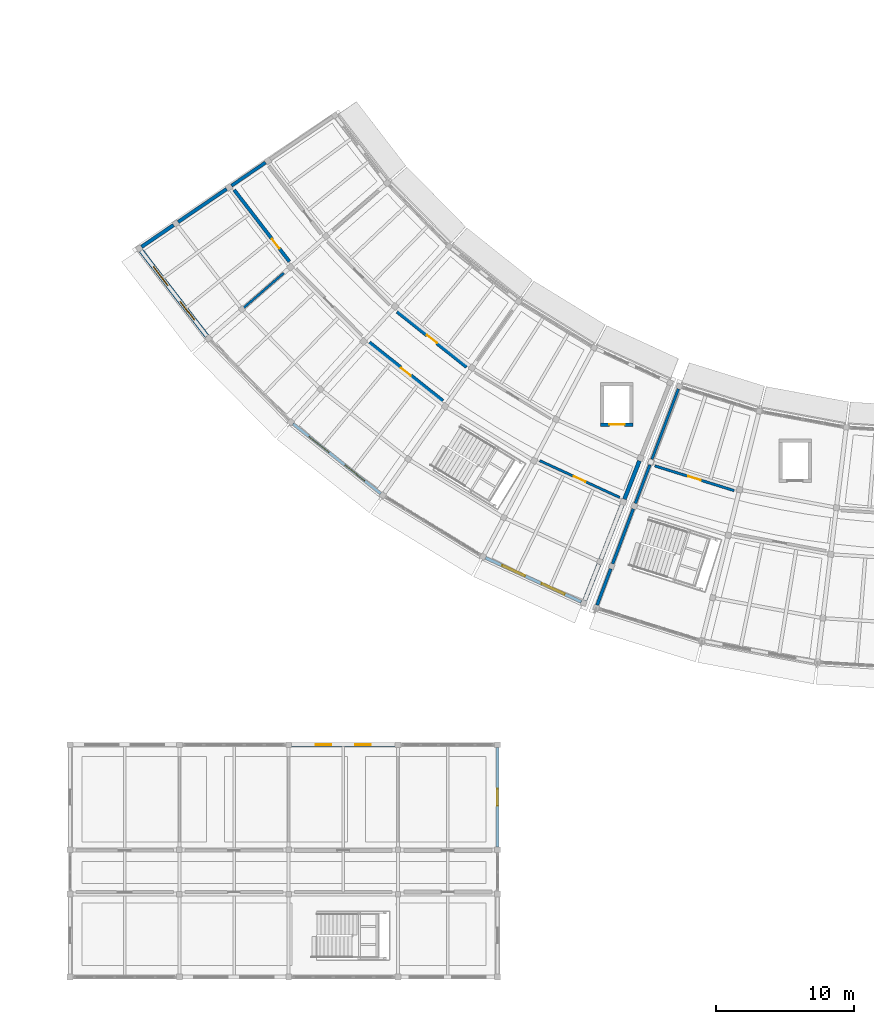
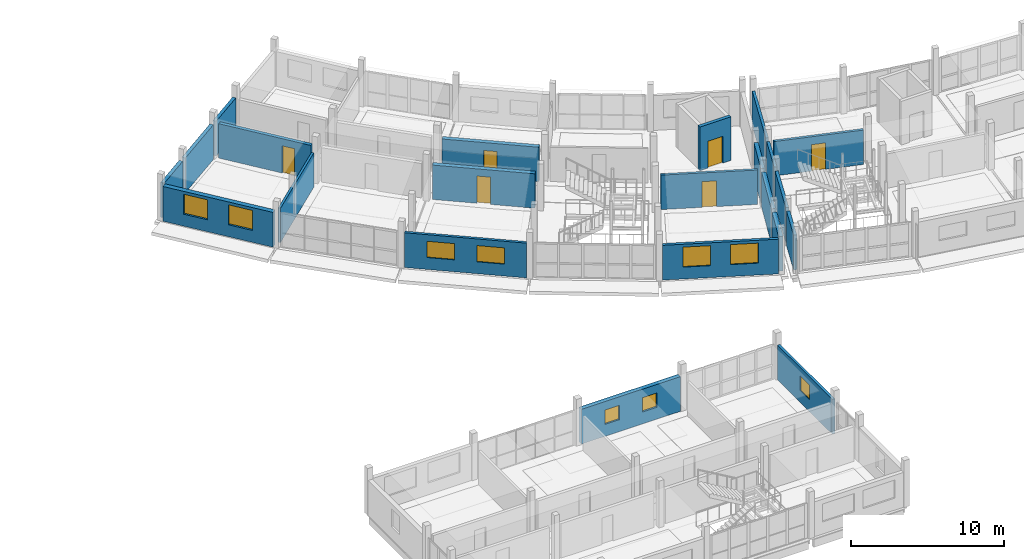
# One storey, part 56 of 77: 22 walls, 9 windows, 6 doors, 15 openings.
"""IFC4 building model written with IfcOpenShell, lengths in metres."""

from ifc_helpers import new_model, si_unit, direction, frame, frame_2d, origin, place, context, subcontext, project, spatial, rectangle, extrude, material, layer, layer_set, type_object, element, fill, save


model = new_model("IFC4")

# Units and contexts
model_context = context("Model", 3, precision=1e-05, world=origin(), true_north=direction((0.0, 1.0)))
body_context = subcontext(model_context, "Body", "Model", "MODEL_VIEW")
ifc_project = project(units=[si_unit("LENGTHUNIT", "METRE"), si_unit("AREAUNIT", "SQUARE_METRE"), si_unit("VOLUMEUNIT", "CUBIC_METRE"), si_unit("PLANEANGLEUNIT", "RADIAN"), si_unit("MASSUNIT", "GRAM", prefix="KILO")], contexts=[model_context])

# Site, building, storey
site_placement = place(None, origin())
site = spatial("IfcSite", under=ifc_project, at=site_placement, CompositionType="ELEMENT")
building_placement = place(site_placement, origin())
building = spatial("IfcBuilding", under=site, at=building_placement, Name="Caldaven Crescent School", CompositionType="ELEMENT")
storey_placement = place(building_placement, frame((0.0, 0.0, 4.419921875)))
storey = spatial("IfcBuildingStorey", under=building, at=storey_placement, Name="L01", CompositionType="ELEMENT", Elevation=4.419921875)

# Wall, opening, door
ifc_material_1 = material(Name="Concrete C35/45", Category="concrete")
ifc_layer_1 = layer(ifc_material_1, 0.300048828125)
ifc_layer_set_1 = layer_set([ifc_layer_1], Name="Concrete C35/45")
wall_type_1 = type_object("IfcWallType", Name="WAL-CW1", PredefinedType="SHEAR", material=ifc_layer_set_1)
wall_1_placement = place(storey_placement, frame((63.85107421875, 44.13818359375, 0.0), z_axis=(0.0, 0.0, 1.0), x_axis=(1.0, 0.0, 0.0)))
wall_1 = element("IfcWall", 1, at=wall_1_placement, inside=storey, type_object=wall_type_1, Name="CW-LF4-L01-S", PredefinedType="SHEAR", context=body_context, shape_type="SweptSolid", body=[
    extrude(rectangle(XDim=2.349853515625, YDim=0.25, at=frame_2d((1.1748046875, 0.0))), origin(), (0.0, 0.0, 1.0), 3.489990234375),
])
opening_1_placement = place(wall_1_placement, frame((0.625, 0.0, 0.0)))
opening_1 = element("IfcOpeningElement", 2, at=opening_1_placement, cuts=wall_1, Name="Opening LD-LF4-L01", PredefinedType="OPENING", context=body_context, shape_type="SweptSolid", body=[
    extrude(rectangle(XDim=1.10009765625, YDim=2.14990234375, at=frame_2d((0.550048828125, 1.074951171875))), frame((0.0, 0.135009765625, 0.0), z_axis=(0.0, -1.0, 0.0), x_axis=(1.0, 0.0, 0.0)), (0.0, 0.0, 1.0), 0.27001953125),
])
ifc_material_2 = material(Name="Brushed stainless-steel automatic telescopic landing door", Category="steel")
door_type_1 = type_object("IfcDoorType", Name="DOR-LD01", OperationType="DOUBLE_DOOR_SLIDING", PredefinedType="DOOR", material=ifc_material_2)
door_1_placement = place(opening_1_placement, origin())
door_1 = element("IfcDoor", 3, at=door_1_placement, inside=storey, type_object=door_type_1, Name="DOR-LD-LF4-L01", OperationType="DOUBLE_DOOR_SLIDING", OverallHeight=2.14990234375, OverallWidth=1.10009765625, PredefinedType="DOOR", context=body_context, shape_type="SweptSolid", body=[
    extrude(rectangle(XDim=1.10009765625, YDim=2.14990234375, at=frame_2d((0.550048828125, 1.074951171875))), frame((0.0, 0.02490234375, 0.0), z_axis=(0.0, -1.0, 0.0), x_axis=(1.0, 0.0, 0.0)), (0.0, 0.0, 1.0), 0.050048828125),
])
fill(opening_1, door_1)

# Wall, opening, window
ifc_material_3 = material(Name="Precast concrete C35/45", Category="concrete")
ifc_layer_2 = layer(ifc_material_3, 0.19189453125)
ifc_layer_set_2 = layer_set([ifc_layer_2], Name="Precast concrete C35/45")
wall_type_2 = type_object("IfcWallType", Name="WAL-EW01", PredefinedType="STANDARD", material=ifc_layer_set_2)
wall_2_placement = place(storey_placement, frame((56.39990234375, 13.613037109375, 0.0), z_axis=(0.0, 0.0, 1.0), x_axis=(0.0, 1.0, 0.0)))
wall_2 = element("IfcWall", 4, at=wall_2_placement, inside=storey, type_object=wall_type_2, Name="EW-L01-070", PredefinedType="STANDARD", context=body_context, shape_type="SweptSolid", body=[
    extrude(rectangle(XDim=7.174072265625, YDim=0.19189453125, at=frame_2d((3.5869140625, 0.0))), origin(), (0.0, 0.0, 1.0), 2.780029296875),
])
opening_2_placement = place(wall_2_placement, frame((2.97705078125, 0.0, 0.949951171875)))
opening_2 = element("IfcOpeningElement", 5, at=opening_2_placement, cuts=wall_2, Name="Opening W05", PredefinedType="OPENING", context=body_context, shape_type="SweptSolid", body=[
    extrude(rectangle(XDim=1.219970703125, YDim=1.14990234375, at=frame_2d((0.60986328125, 0.574951171875))), frame((0.0, 0.10595703125, 0.0), z_axis=(0.0, -1.0, 0.0), x_axis=(1.0, 0.0, 0.0)), (0.0, 0.0, 1.0), 0.2119140625),
])
ifc_material_4 = material(Name="Thermally broken anodised aluminium AA 6063-T6 and low-E double glazing", Category="aluminium")
window_type_1 = type_object("IfcWindowType", Name="WIN-W05", PartitioningType="SINGLE_PANEL", PredefinedType="WINDOW", material=ifc_material_4)
window_1_placement = place(opening_2_placement, origin())
window_1 = element("IfcWindow", 6, at=window_1_placement, inside=storey, type_object=window_type_1, Name="WIN-L01-052-1", OverallHeight=1.14990234375, OverallWidth=1.219970703125, PartitioningType="SINGLE_PANEL", PredefinedType="WINDOW", context=body_context, shape_type="SweptSolid", body=[
    extrude(rectangle(XDim=1.219970703125, YDim=1.14990234375, at=frame_2d((0.60986328125, 0.574951171875))), frame((0.0, 0.030029296875, 0.0), z_axis=(0.0, -1.0, 0.0), x_axis=(1.0, 0.0, 0.0)), (0.0, 0.0, 1.0), 0.06005859375),
])
fill(opening_2, window_1)

# Wall, openings, windows
wall_3_placement = place(storey_placement, frame((41.616943359375, 44.19091796875, 0.0), z_axis=(0.0, 0.0, 1.0), x_axis=(0.782610403329, -0.62251181242, 0.0)))
wall_3 = element("IfcWall", 7, at=wall_3_placement, inside=storey, type_object=wall_type_2, Name="EW-L01-126", PredefinedType="STANDARD", context=body_context, shape_type="SweptSolid", body=[
    extrude(rectangle(XDim=8.095947265625, YDim=0.19189453125, at=frame_2d((4.0478515625, 0.0))), origin(), (0.0, 0.0, 1.0), 2.780029296875),
])
opening_3_placement = place(wall_3_placement, frame((1.4853515625, 0.0, 0.949951171875)))
opening_3 = element("IfcOpeningElement", 8, at=opening_3_placement, cuts=wall_3, Name="Opening W26", PredefinedType="OPENING", context=body_context, shape_type="SweptSolid", body=[
    extrude(rectangle(XDim=1.820068359375, YDim=1.300048828125, at=frame_2d((0.91015625, 0.64990234375))), frame((0.0, 0.10595703125, 0.0), z_axis=(0.0, -1.0, 0.0), x_axis=(1.0, 0.0, 0.0)), (0.0, 0.0, 1.0), 0.2119140625),
])
opening_4_placement = place(wall_3_placement, frame((4.79052734375, 0.0, 0.949951171875)))
opening_4 = element("IfcOpeningElement", 9, at=opening_4_placement, cuts=wall_3, Name="Opening W26", PredefinedType="OPENING", context=body_context, shape_type="SweptSolid", body=[
    extrude(rectangle(XDim=1.820068359375, YDim=1.300048828125, at=frame_2d((0.91015625, 0.64990234375))), frame((0.0, 0.10595703125, 0.0), z_axis=(0.0, -1.0, 0.0), x_axis=(1.0, 0.0, 0.0)), (0.0, 0.0, 1.0), 0.2119140625),
])
window_type_2 = type_object("IfcWindowType", Name="WIN-W26", PartitioningType="SINGLE_PANEL", PredefinedType="WINDOW", material=ifc_material_4)
window_2_placement = place(opening_3_placement, origin())
window_2 = element("IfcWindow", 10, at=window_2_placement, inside=storey, type_object=window_type_2, Name="WIN-L01-073-1", OverallHeight=1.300048828125, OverallWidth=1.820068359375, PartitioningType="SINGLE_PANEL", PredefinedType="WINDOW", context=body_context, shape_type="SweptSolid", body=[
    extrude(rectangle(XDim=1.820068359375, YDim=1.300048828125, at=frame_2d((0.91015625, 0.64990234375))), frame((0.0, 0.030029296875, 0.0), z_axis=(0.0, -1.0, 0.0), x_axis=(1.0, 0.0, 0.0)), (0.0, 0.0, 1.0), 0.06005859375),
])
fill(opening_3, window_2)
window_3_placement = place(opening_4_placement, origin())
window_3 = element("IfcWindow", 11, at=window_3_placement, inside=storey, type_object=window_type_2, Name="WIN-L01-073-2", OverallHeight=1.300048828125, OverallWidth=1.820068359375, PartitioningType="SINGLE_PANEL", PredefinedType="WINDOW", context=body_context, shape_type="SweptSolid", body=[
    extrude(rectangle(XDim=1.820068359375, YDim=1.300048828125, at=frame_2d((0.91015625, 0.64990234375))), frame((0.0, 0.030029296875, 0.0), z_axis=(0.0, -1.0, 0.0), x_axis=(1.0, 0.0, 0.0)), (0.0, 0.0, 1.0), 0.06005859375),
])
fill(opening_4, window_3)

# Walls
wall_4_placement = place(storey_placement, frame((69.471435546875, 46.72021484375, 0.0), z_axis=(0.0, 0.0, 1.0), x_axis=(-0.351915297574, -0.936031849529, 0.0)))
element("IfcWall", 12, at=wall_4_placement, inside=storey, type_object=wall_type_2, Name="EW-L01-140", PredefinedType="STANDARD", context=body_context, shape_type="SweptSolid", body=[
    extrude(rectangle(XDim=5.43896484375, YDim=0.19189453125, at=frame_2d((2.719482421875, 0.0))), origin(), (0.0, 0.0, 1.0), 2.780029296875),
])
ifc_layer_3 = layer(ifc_material_3, 0.2041015625)
ifc_layer_set_3 = layer_set([ifc_layer_3], Name="Precast concrete C35/45")
wall_type_3 = type_object("IfcWallType", Name="WAL-EW02", PredefinedType="STANDARD", material=ifc_layer_set_3)
wall_5_placement = place(storey_placement, frame((67.407470703125, 41.230224609375, 0.0), z_axis=(0.0, 0.0, 1.0), x_axis=(-0.35193299539, -0.936025195577, 0.0)))
element("IfcWall", 13, at=wall_5_placement, inside=storey, type_object=wall_type_3, Name="EW-L01-141", PredefinedType="STANDARD", context=body_context, shape_type="SweptSolid", body=[
    extrude(rectangle(XDim=2.973876953125, YDim=0.2041015625, at=frame_2d((1.48681640625, 0.0))), origin(), (0.0, 0.0, 1.0), 2.780029296875),
])

# Wall, openings, windows
ifc_layer_4 = layer(ifc_material_3, 0.216064453125)
ifc_layer_set_4 = layer_set([ifc_layer_4], Name="Precast concrete C35/45")
wall_type_4 = type_object("IfcWallType", Name="WAL-EW03", PredefinedType="STANDARD", material=ifc_layer_set_4)
wall_6_placement = place(storey_placement, frame((55.528076171875, 34.50830078125, 0.0), z_axis=(0.0, 0.0, 1.0), x_axis=(0.908533520845, -0.417811969073, 0.0)))
wall_6 = element("IfcWall", 14, at=wall_6_placement, inside=storey, type_object=wall_type_4, Name="EW-L01-128", PredefinedType="STANDARD", context=body_context, shape_type="SweptSolid", body=[
    extrude(rectangle(XDim=7.617919921875, YDim=0.216064453125, at=frame_2d((3.80908203125, 0.0))), origin(), (0.0, 0.0, 1.0), 2.780029296875),
])
opening_5_placement = place(wall_6_placement, frame((1.325927734375, 0.0, 0.949951171875)))
opening_5 = element("IfcOpeningElement", 15, at=opening_5_placement, cuts=wall_6, Name="Opening W28", PredefinedType="OPENING", context=body_context, shape_type="SweptSolid", body=[
    extrude(rectangle(XDim=1.820068359375, YDim=1.60009765625, at=frame_2d((0.91015625, 0.800048828125))), frame((0.0, 0.117919921875, 0.0), z_axis=(0.0, -1.0, 0.0), x_axis=(1.0, 0.0, 0.0)), (0.0, 0.0, 1.0), 0.236083984375),
])
opening_6_placement = place(wall_6_placement, frame((4.471923828125, 0.0, 0.949951171875)))
opening_6 = element("IfcOpeningElement", 16, at=opening_6_placement, cuts=wall_6, Name="Opening W28", PredefinedType="OPENING", context=body_context, shape_type="SweptSolid", body=[
    extrude(rectangle(XDim=1.820068359375, YDim=1.60009765625, at=frame_2d((0.91015625, 0.800048828125))), frame((0.0, 0.117919921875, 0.0), z_axis=(0.0, -1.0, 0.0), x_axis=(1.0, 0.0, 0.0)), (0.0, 0.0, 1.0), 0.236083984375),
])
window_type_3 = type_object("IfcWindowType", Name="WIN-W28", PartitioningType="SINGLE_PANEL", PredefinedType="WINDOW", material=ifc_material_4)
window_4_placement = place(opening_5_placement, origin())
window_4 = element("IfcWindow", 17, at=window_4_placement, inside=storey, type_object=window_type_3, Name="WIN-L01-075-1", OverallHeight=1.60009765625, OverallWidth=1.820068359375, PartitioningType="SINGLE_PANEL", PredefinedType="WINDOW", context=body_context, shape_type="SweptSolid", body=[
    extrude(rectangle(XDim=1.820068359375, YDim=1.60009765625, at=frame_2d((0.91015625, 0.800048828125))), frame((0.0, 0.030029296875, 0.0), z_axis=(0.0, -1.0, 0.0), x_axis=(1.0, 0.0, 0.0)), (0.0, 0.0, 1.0), 0.06005859375),
])
fill(opening_5, window_4)
window_5_placement = place(opening_6_placement, origin())
window_5 = element("IfcWindow", 18, at=window_5_placement, inside=storey, type_object=window_type_3, Name="WIN-L01-075-2", OverallHeight=1.60009765625, OverallWidth=1.820068359375, PartitioningType="SINGLE_PANEL", PredefinedType="WINDOW", context=body_context, shape_type="SweptSolid", body=[
    extrude(rectangle(XDim=1.820068359375, YDim=1.60009765625, at=frame_2d((0.91015625, 0.800048828125))), frame((0.0, 0.030029296875, 0.0), z_axis=(0.0, -1.0, 0.0), x_axis=(1.0, 0.0, 0.0)), (0.0, 0.0, 1.0), 0.06005859375),
])
fill(opening_6, window_5)

# Walls
wall_7_placement = place(storey_placement, frame((66.2109375, 38.0478515625, 0.0), z_axis=(0.0, 0.0, 1.0), x_axis=(-0.351956442029, -0.936016379619, 0.0)))
element("IfcWall", 19, at=wall_7_placement, inside=storey, type_object=wall_type_4, Name="EW-L01-142", PredefinedType="STANDARD", context=body_context, shape_type="SweptSolid", body=[
    extrude(rectangle(XDim=4.239013671875, YDim=0.216064453125, at=frame_2d((2.11962890625, 0.0))), origin(), (0.0, 0.0, 1.0), 2.780029296875),
])
ifc_layer_5 = layer(ifc_material_3, 0.22802734375)
ifc_layer_set_5 = layer_set([ifc_layer_5], Name="Precast concrete C35/45")
wall_type_5 = type_object("IfcWallType", Name="WAL-EW04", PredefinedType="STANDARD", material=ifc_layer_set_5)
wall_8_placement = place(storey_placement, frame((64.57958984375, 33.70947265625, 0.0), z_axis=(0.0, 0.0, 1.0), x_axis=(-0.351915246361, -0.936031868784, 0.0)))
element("IfcWall", 20, at=wall_8_placement, inside=storey, type_object=wall_type_5, Name="EW-L01-143", PredefinedType="STANDARD", context=body_context, shape_type="SweptSolid", body=[
    extrude(rectangle(XDim=2.80419921875, YDim=0.22802734375, at=frame_2d((1.402099609375, 0.0))), origin(), (0.0, 0.0, 1.0), 2.780029296875),
])
ifc_layer_6 = layer(ifc_material_3, 0.239990234375)
ifc_layer_set_6 = layer_set([ifc_layer_6], Name="Precast concrete C35/45")
wall_type_6 = type_object("IfcWallType", Name="WAL-EW05", PredefinedType="STANDARD", material=ifc_layer_set_6)
wall_9_placement = place(storey_placement, frame((39.625, 63.081298828125, 0.0), z_axis=(0.0, 0.0, 1.0), x_axis=(-0.826746288828, -0.562574949592, 0.0)))
element("IfcWall", 21, at=wall_9_placement, inside=storey, type_object=wall_type_6, Name="EW-L01-130", PredefinedType="STANDARD", context=body_context, shape_type="SweptSolid", body=[
    extrude(rectangle(XDim=2.973876953125, YDim=0.239990234375, at=frame_2d((1.48681640625, 0.0))), origin(), (0.0, 0.0, 1.0), 2.780029296875),
])
ifc_layer_7 = layer(ifc_material_3, 0.251953125)
ifc_layer_set_7 = layer_set([ifc_layer_7], Name="Precast concrete C35/45")
wall_type_7 = type_object("IfcWallType", Name="WAL-EW06", PredefinedType="STANDARD", material=ifc_layer_set_7)
wall_10_placement = place(storey_placement, frame((36.814208984375, 61.168701171875, 0.0), z_axis=(0.0, 0.0, 1.0), x_axis=(-0.826749711991, -0.562569918964, 0.0)))
element("IfcWall", 22, at=wall_10_placement, inside=storey, type_object=wall_type_7, Name="EW-L01-131", PredefinedType="STANDARD", context=body_context, shape_type="SweptSolid", body=[
    extrude(rectangle(XDim=4.239013671875, YDim=0.251953125, at=frame_2d((2.11962890625, 0.0))), origin(), (0.0, 0.0, 1.0), 2.780029296875),
])
ifc_layer_8 = layer(ifc_material_3, 0.263916015625)
ifc_layer_set_8 = layer_set([ifc_layer_8], Name="Precast concrete C35/45")
wall_type_8 = type_object("IfcWallType", Name="WAL-EW07", PredefinedType="STANDARD", material=ifc_layer_set_8)
wall_11_placement = place(storey_placement, frame((32.982177734375, 58.56103515625, 0.0), z_axis=(0.0, 0.0, 1.0), x_axis=(-0.826748315521, -0.562571971204, 0.0)))
element("IfcWall", 23, at=wall_11_placement, inside=storey, type_object=wall_type_8, Name="EW-L01-132", PredefinedType="STANDARD", context=body_context, shape_type="SweptSolid", body=[
    extrude(rectangle(XDim=2.803955078125, YDim=0.263916015625, at=frame_2d((1.40185546875, 0.0))), origin(), (0.0, 0.0, 1.0), 2.780029296875),
])
ifc_layer_9 = layer(ifc_material_3, 0.2880859375)
ifc_layer_set_9 = layer_set([ifc_layer_9], Name="Precast concrete C35/45")
wall_type_9 = type_object("IfcWallType", Name="WAL-EW09", PredefinedType="STANDARD", material=ifc_layer_set_9)
wall_12_placement = place(storey_placement, frame((66.6552734375, 41.51904296875, 0.0), z_axis=(0.0, 0.0, 1.0), x_axis=(-0.364814075751, -0.931080388653, 0.0)))
element("IfcWall", 24, at=wall_12_placement, inside=storey, type_object=wall_type_9, Name="EW-L01-134", PredefinedType="STANDARD", context=body_context, shape_type="SweptSolid", body=[
    extrude(rectangle(XDim=2.97412109375, YDim=0.2880859375, at=frame_2d((1.487060546875, 0.0))), origin(), (0.0, 0.0, 1.0), 2.780029296875),
])
ifc_layer_10 = layer(ifc_material_3, 0.300048828125)
ifc_layer_set_10 = layer_set([ifc_layer_10], Name="Precast concrete C35/45")
wall_type_10 = type_object("IfcWallType", Name="WAL-EW10", PredefinedType="STANDARD", material=ifc_layer_set_10)
wall_13_placement = place(storey_placement, frame((65.4150390625, 38.353271484375, 0.0), z_axis=(0.0, 0.0, 1.0), x_axis=(-0.364807578084, -0.93108293453, 0.0)))
element("IfcWall", 25, at=wall_13_placement, inside=storey, type_object=wall_type_10, Name="EW-L01-135", PredefinedType="STANDARD", context=body_context, shape_type="SweptSolid", body=[
    extrude(rectangle(XDim=4.239013671875, YDim=0.300048828125, at=frame_2d((2.11962890625, 0.0))), origin(), (0.0, 0.0, 1.0), 2.780029296875),
])

# Wall, openings, windows
ifc_layer_11 = layer(ifc_material_3, 0.31201171875)
ifc_layer_set_11 = layer_set([ifc_layer_11], Name="Precast concrete C35/45")
wall_type_11 = type_object("IfcWallType", Name="WAL-EW11", PredefinedType="STANDARD", material=ifc_layer_set_11)
wall_14_placement = place(storey_placement, frame((41.512939453125, 21.0, 0.0), z_axis=(0.0, 0.0, 1.0), x_axis=(1.0, 0.0, 0.0)))
wall_14 = element("IfcWall", 26, at=wall_14_placement, inside=storey, type_object=wall_type_11, Name="EW-L01-066", PredefinedType="STANDARD", context=body_context, shape_type="SweptSolid", body=[
    extrude(rectangle(XDim=7.47412109375, YDim=0.31201171875, at=frame_2d((3.737060546875, 0.0))), origin(), (0.0, 0.0, 1.0), 2.780029296875),
])
opening_7_placement = place(wall_14_placement, frame((1.758056640625, 0.0, 0.949951171875)))
opening_7 = element("IfcOpeningElement", 27, at=opening_7_placement, cuts=wall_14, Name="Opening W01", PredefinedType="OPENING", context=body_context, shape_type="SweptSolid", body=[
    extrude(rectangle(XDim=1.10009765625, YDim=1.14990234375, at=frame_2d((0.550048828125, 0.574951171875))), frame((0.0, 0.166015625, 0.0), z_axis=(0.0, -1.0, 0.0), x_axis=(1.0, 0.0, 0.0)), (0.0, 0.0, 1.0), 0.33203125),
])
opening_8_placement = place(wall_14_placement, frame((4.615966796875, 0.0, 0.949951171875)))
opening_8 = element("IfcOpeningElement", 28, at=opening_8_placement, cuts=wall_14, Name="Opening W01", PredefinedType="OPENING", context=body_context, shape_type="SweptSolid", body=[
    extrude(rectangle(XDim=1.10009765625, YDim=1.14990234375, at=frame_2d((0.550048828125, 0.574951171875))), frame((0.0, 0.166015625, 0.0), z_axis=(0.0, -1.0, 0.0), x_axis=(1.0, 0.0, 0.0)), (0.0, 0.0, 1.0), 0.33203125),
])
window_type_4 = type_object("IfcWindowType", Name="WIN-W01", PartitioningType="SINGLE_PANEL", PredefinedType="WINDOW", material=ifc_material_4)
window_6_placement = place(opening_7_placement, origin())
window_6 = element("IfcWindow", 29, at=window_6_placement, inside=storey, type_object=window_type_4, Name="WIN-L01-048-1", OverallHeight=1.14990234375, OverallWidth=1.10009765625, PartitioningType="SINGLE_PANEL", PredefinedType="WINDOW", context=body_context, shape_type="SweptSolid", body=[
    extrude(rectangle(XDim=1.10009765625, YDim=1.14990234375, at=frame_2d((0.550048828125, 0.574951171875))), frame((0.0, 0.030029296875, 0.0), z_axis=(0.0, -1.0, 0.0), x_axis=(1.0, 0.0, 0.0)), (0.0, 0.0, 1.0), 0.06005859375),
])
fill(opening_7, window_6)
window_7_placement = place(opening_8_placement, origin())
window_7 = element("IfcWindow", 30, at=window_7_placement, inside=storey, type_object=window_type_4, Name="WIN-L01-048-2", OverallHeight=1.14990234375, OverallWidth=1.10009765625, PartitioningType="SINGLE_PANEL", PredefinedType="WINDOW", context=body_context, shape_type="SweptSolid", body=[
    extrude(rectangle(XDim=1.10009765625, YDim=1.14990234375, at=frame_2d((0.550048828125, 0.574951171875))), frame((0.0, 0.030029296875, 0.0), z_axis=(0.0, -1.0, 0.0), x_axis=(1.0, 0.0, 0.0)), (0.0, 0.0, 1.0), 0.06005859375),
])
fill(opening_8, window_7)

# Wall
wall_15_placement = place(storey_placement, frame((63.72412109375, 34.037841796875, 0.0), z_axis=(0.0, 0.0, 1.0), x_axis=(-0.364806382824, -0.931083402844, 0.0)))
element("IfcWall", 31, at=wall_15_placement, inside=storey, type_object=wall_type_11, Name="EW-L01-136", PredefinedType="STANDARD", context=body_context, shape_type="SweptSolid", body=[
    extrude(rectangle(XDim=2.80419921875, YDim=0.31201171875, at=frame_2d((1.402099609375, 0.0))), origin(), (0.0, 0.0, 1.0), 2.780029296875),
])

# Wall, openings, windows
ifc_layer_12 = layer(ifc_material_3, 0.3359375)
ifc_layer_set_12 = layer_set([ifc_layer_12], Name="Precast concrete C35/45")
wall_type_12 = type_object("IfcWallType", Name="WAL-EW13", PredefinedType="STANDARD", material=ifc_layer_set_12)
wall_16_placement = place(storey_placement, frame((30.62109375, 56.71533203125, 0.0), z_axis=(0.0, 0.0, 1.0), x_axis=(0.610390223599, -0.792100861592, 0.0)))
wall_16 = element("IfcWall", 32, at=wall_16_placement, inside=storey, type_object=wall_type_12, Name="EW-L01-124", PredefinedType="STANDARD", context=body_context, shape_type="SweptSolid", body=[
    extrude(rectangle(XDim=7.8115234375, YDim=0.3359375, at=frame_2d((3.90576171875, 0.0))), origin(), (0.0, 0.0, 1.0), 2.780029296875),
])
opening_9_placement = place(wall_16_placement, frame((1.470458984375, 0.0, 0.949951171875)))
opening_9 = element("IfcOpeningElement", 33, at=opening_9_placement, cuts=wall_16, Name="Opening W24", PredefinedType="OPENING", context=body_context, shape_type="SweptSolid", body=[
    extrude(rectangle(XDim=1.699951171875, YDim=1.60009765625, at=frame_2d((0.85009765625, 0.800048828125))), frame((0.0, 0.177978515625, 0.0), z_axis=(0.0, -1.0, 0.0), x_axis=(1.0, 0.0, 0.0)), (0.0, 0.0, 1.0), 0.35595703125),
])
opening_10_placement = place(wall_16_placement, frame((4.640869140625, 0.0, 0.949951171875)))
opening_10 = element("IfcOpeningElement", 34, at=opening_10_placement, cuts=wall_16, Name="Opening W24", PredefinedType="OPENING", context=body_context, shape_type="SweptSolid", body=[
    extrude(rectangle(XDim=1.699951171875, YDim=1.60009765625, at=frame_2d((0.85009765625, 0.800048828125))), frame((0.0, 0.177978515625, 0.0), z_axis=(0.0, -1.0, 0.0), x_axis=(1.0, 0.0, 0.0)), (0.0, 0.0, 1.0), 0.35595703125),
])
window_type_5 = type_object("IfcWindowType", Name="WIN-W24", PartitioningType="SINGLE_PANEL", PredefinedType="WINDOW", material=ifc_material_4)
window_8_placement = place(opening_9_placement, origin())
window_8 = element("IfcWindow", 35, at=window_8_placement, inside=storey, type_object=window_type_5, Name="WIN-L01-071-1", OverallHeight=1.60009765625, OverallWidth=1.699951171875, PartitioningType="SINGLE_PANEL", PredefinedType="WINDOW", context=body_context, shape_type="SweptSolid", body=[
    extrude(rectangle(XDim=1.699951171875, YDim=1.60009765625, at=frame_2d((0.85009765625, 0.800048828125))), frame((0.0, 0.030029296875, 0.0), z_axis=(0.0, -1.0, 0.0), x_axis=(1.0, 0.0, 0.0)), (0.0, 0.0, 1.0), 0.06005859375),
])
fill(opening_9, window_8)
window_9_placement = place(opening_10_placement, origin())
window_9 = element("IfcWindow", 36, at=window_9_placement, inside=storey, type_object=window_type_5, Name="WIN-L01-071-2", OverallHeight=1.60009765625, OverallWidth=1.699951171875, PartitioningType="SINGLE_PANEL", PredefinedType="WINDOW", context=body_context, shape_type="SweptSolid", body=[
    extrude(rectangle(XDim=1.699951171875, YDim=1.60009765625, at=frame_2d((0.85009765625, 0.800048828125))), frame((0.0, 0.030029296875, 0.0), z_axis=(0.0, -1.0, 0.0), x_axis=(1.0, 0.0, 0.0)), (0.0, 0.0, 1.0), 0.06005859375),
])
fill(opening_10, window_9)

# Wall, opening, door
ifc_material_5 = material(Name="Acoustic timber-stud and fire-rated gypsum board assembly", Category="wood")
ifc_layer_13 = layer(ifc_material_5, 0.179931640625)
ifc_layer_set_13 = layer_set([ifc_layer_13], Name="Acoustic timber-stud and fire-rated gypsum board assembly")
wall_type_13 = type_object("IfcWallType", Name="WAL-IW03", PredefinedType="STANDARD", material=ifc_layer_set_13)
wall_17_placement = place(storey_placement, frame((59.445068359375, 41.53076171875, 0.0), z_axis=(0.0, 0.0, 1.0), x_axis=(0.908519558618, -0.417842328647, 0.0)))
wall_17 = element("IfcWall", 37, at=wall_17_placement, inside=storey, type_object=wall_type_13, Name="IW-L01-0210", PredefinedType="STANDARD", context=body_context, shape_type="SweptSolid", body=[
    extrude(rectangle(XDim=6.36865234375, YDim=0.179931640625, at=frame_2d((3.184326171875, 0.0))), origin(), (0.0, 0.0, 1.0), 2.75),
])
opening_11_placement = place(wall_17_placement, frame((2.71435546875, 0.0, 0.0)))
opening_11 = element("IfcOpeningElement", 38, at=opening_11_placement, cuts=wall_17, Name="Opening D-L01-I148", PredefinedType="OPENING", context=body_context, shape_type="SweptSolid", body=[
    extrude(rectangle(XDim=0.93994140625, YDim=2.06005859375, at=frame_2d((0.469970703125, 1.030029296875))), frame((0.0, 0.099853515625, 0.0), z_axis=(0.0, -1.0, 0.0), x_axis=(1.0, 0.0, 0.0)), (0.0, 0.0, 1.0), 0.199951171875),
])
ifc_material_6 = material(Name="Solid-core Pino Radiata acoustic timber leaf in steel frame", Category="steel")
door_type_2 = type_object("IfcDoorType", Name="DOR-ID09", OperationType="NOTDEFINED", PredefinedType="DOOR", material=ifc_material_6)
door_2_placement = place(opening_11_placement, origin())
door_2 = element("IfcDoor", 39, at=door_2_placement, inside=storey, type_object=door_type_2, Name="DOR-INT-L01-0148", OperationType="SINGLE_SWING_LEFT", OverallHeight=2.06005859375, OverallWidth=0.93994140625, PredefinedType="DOOR", context=body_context, shape_type="SweptSolid", body=[
    extrude(rectangle(XDim=0.93994140625, YDim=2.06005859375, at=frame_2d((0.469970703125, 1.030029296875))), frame((0.0, 0.02490234375, 0.0), z_axis=(0.0, -1.0, 0.0), x_axis=(1.0, 0.0, 0.0)), (0.0, 0.0, 1.0), 0.050048828125),
])
fill(opening_11, door_2)

ifc_layer_14 = layer(ifc_material_5, 0.18994140625)
ifc_layer_set_14 = layer_set([ifc_layer_14], Name="Acoustic timber-stud and fire-rated gypsum board assembly")
wall_type_14 = type_object("IfcWallType", Name="WAL-IW04", PredefinedType="STANDARD", material=ifc_layer_set_14)
wall_18_placement = place(storey_placement, frame((67.7626953125, 41.154052734375, 0.0), z_axis=(0.0, 0.0, 1.0), x_axis=(0.954756741519, -0.297387902451, 0.0)))
wall_18 = element("IfcWall", 40, at=wall_18_placement, inside=storey, type_object=wall_type_14, Name="IW-L01-0211", PredefinedType="STANDARD", context=body_context, shape_type="SweptSolid", body=[
    extrude(rectangle(XDim=6.018310546875, YDim=0.18994140625, at=frame_2d((3.00927734375, 0.0))), origin(), (0.0, 0.0, 1.0), 2.75),
])
opening_12_placement = place(wall_18_placement, frame((2.5390625, 0.0, 0.0)))
opening_12 = element("IfcOpeningElement", 41, at=opening_12_placement, cuts=wall_18, Name="Opening D-L01-I149", PredefinedType="OPENING", context=body_context, shape_type="SweptSolid", body=[
    extrude(rectangle(XDim=0.93994140625, YDim=2.1201171875, at=frame_2d((0.469970703125, 1.06005859375))), frame((0.0, 0.10498046875, 0.0), z_axis=(0.0, -1.0, 0.0), x_axis=(1.0, 0.0, 0.0)), (0.0, 0.0, 1.0), 0.2099609375),
])
door_type_3 = type_object("IfcDoorType", Name="DOR-ID10", OperationType="NOTDEFINED", PredefinedType="DOOR", material=ifc_material_6)
door_3_placement = place(opening_12_placement, frame((0.93994140625, 0.0, 0.0), z_axis=(0.0, 0.0, 1.0), x_axis=(-1.0, 0.0, 0.0)))
door_3 = element("IfcDoor", 42, at=door_3_placement, inside=storey, type_object=door_type_3, Name="DOR-INT-L01-0149", OperationType="SINGLE_SWING_RIGHT", OverallHeight=2.1201171875, OverallWidth=0.93994140625, PredefinedType="DOOR", context=body_context, shape_type="SweptSolid", body=[
    extrude(rectangle(XDim=0.93994140625, YDim=2.1201171875, at=frame_2d((0.469970703125, 1.06005859375))), frame((0.0, 0.02490234375, 0.0), z_axis=(0.0, -1.0, 0.0), x_axis=(1.0, 0.0, 0.0)), (0.0, 0.0, 1.0), 0.050048828125),
])
fill(opening_12, door_3)

ifc_layer_15 = layer(ifc_material_5, 0.25)
ifc_layer_set_15 = layer_set([ifc_layer_15], Name="Acoustic timber-stud and fire-rated gypsum board assembly")
wall_type_15 = type_object("IfcWallType", Name="WAL-IW10", PredefinedType="STANDARD", material=ifc_layer_set_15)
wall_19_placement = place(storey_placement, frame((37.35888671875, 61.1044921875, 0.0), z_axis=(0.0, 0.0, 1.0), x_axis=(0.610378079511, -0.792110219637, 0.0)))
wall_19 = element("IfcWall", 43, at=wall_19_placement, inside=storey, type_object=wall_type_15, Name="IW-L01-0201", PredefinedType="STANDARD", context=body_context, shape_type="SweptSolid", body=[
    extrude(rectangle(XDim=6.539794921875, YDim=0.25, at=frame_2d((3.27001953125, 0.0))), origin(), (0.0, 0.0, 1.0), 2.75),
])
opening_13_placement = place(wall_19_placement, frame((4.499755859375, 0.0, 0.0)))
opening_13 = element("IfcOpeningElement", 44, at=opening_13_placement, cuts=wall_19, Name="Opening D-L01-I142", PredefinedType="OPENING", context=body_context, shape_type="SweptSolid", body=[
    extrude(rectangle(XDim=0.860107421875, YDim=2.179931640625, at=frame_2d((0.43017578125, 1.08984375))), frame((0.0, 0.135009765625, 0.0), z_axis=(0.0, -1.0, 0.0), x_axis=(1.0, 0.0, 0.0)), (0.0, 0.0, 1.0), 0.27001953125),
])
door_type_4 = type_object("IfcDoorType", Name="DOR-ID03", OperationType="NOTDEFINED", PredefinedType="DOOR", material=ifc_material_6)
door_4_placement = place(opening_13_placement, origin())
door_4 = element("IfcDoor", 45, at=door_4_placement, inside=storey, type_object=door_type_4, Name="DOR-INT-L01-0142", OperationType="SINGLE_SWING_LEFT", OverallHeight=2.179931640625, OverallWidth=0.860107421875, PredefinedType="DOOR", context=body_context, shape_type="SweptSolid", body=[
    extrude(rectangle(XDim=0.860107421875, YDim=2.179931640625, at=frame_2d((0.43017578125, 1.08984375))), frame((0.0, 0.02490234375, 0.0), z_axis=(0.0, -1.0, 0.0), x_axis=(1.0, 0.0, 0.0)), (0.0, 0.0, 1.0), 0.050048828125),
])
fill(opening_13, door_4)

ifc_material_7 = material(Name="Autoclaved aerated concrete block masonry G5", Category="masonry")
ifc_layer_16 = layer(ifc_material_7, 0.300048828125)
ifc_layer_set_16 = layer_set([ifc_layer_16], Name="Autoclaved aerated concrete block masonry G5")
wall_type_16 = type_object("IfcWallType", Name="WAL-IW15", PredefinedType="STANDARD", material=ifc_layer_set_16)
wall_20_placement = place(storey_placement, frame((49.15087890625, 52.31689453125, 0.0), z_axis=(0.0, 0.0, 1.0), x_axis=(0.782605685559, -0.622517743467, 0.0)))
wall_20 = element("IfcWall", 46, at=wall_20_placement, inside=storey, type_object=wall_type_16, Name="IW-L01-0206", PredefinedType="STANDARD", context=body_context, shape_type="SweptSolid", body=[
    extrude(rectangle(XDim=6.42041015625, YDim=0.300048828125, at=frame_2d((3.210205078125, 0.0))), origin(), (0.0, 0.0, 1.0), 2.75),
])
opening_14_placement = place(wall_20_placement, frame((2.760009765625, 0.0, 0.0)))
opening_14 = element("IfcOpeningElement", 47, at=opening_14_placement, cuts=wall_20, Name="Opening D-L01-I145", PredefinedType="OPENING", context=body_context, shape_type="SweptSolid", body=[
    extrude(rectangle(XDim=0.89990234375, YDim=2.1201171875, at=frame_2d((0.449951171875, 1.06005859375))), frame((0.0, 0.159912109375, 0.0), z_axis=(0.0, -1.0, 0.0), x_axis=(1.0, 0.0, 0.0)), (0.0, 0.0, 1.0), 0.320068359375),
])
door_type_5 = type_object("IfcDoorType", Name="DOR-ID06", OperationType="NOTDEFINED", PredefinedType="DOOR", material=ifc_material_6)
door_5_placement = place(opening_14_placement, frame((0.89990234375, 0.0, 0.0), z_axis=(0.0, 0.0, 1.0), x_axis=(-1.0, 0.0, 0.0)))
door_5 = element("IfcDoor", 48, at=door_5_placement, inside=storey, type_object=door_type_5, Name="DOR-INT-L01-0145", OperationType="SINGLE_SWING_RIGHT", OverallHeight=2.1201171875, OverallWidth=0.89990234375, PredefinedType="DOOR", context=body_context, shape_type="SweptSolid", body=[
    extrude(rectangle(XDim=0.89990234375, YDim=2.1201171875, at=frame_2d((0.449951171875, 1.06005859375))), frame((0.0, 0.02490234375, 0.0), z_axis=(0.0, -1.0, 0.0), x_axis=(1.0, 0.0, 0.0)), (0.0, 0.0, 1.0), 0.050048828125),
])
fill(opening_14, door_5)

ifc_layer_17 = layer(ifc_material_7, 0.31005859375)
ifc_layer_set_17 = layer_set([ifc_layer_17], Name="Autoclaved aerated concrete block masonry G5")
wall_type_17 = type_object("IfcWallType", Name="WAL-IW16", PredefinedType="STANDARD", material=ifc_layer_set_17)
wall_21_placement = place(storey_placement, frame((47.11669921875, 50.0576171875, 0.0), z_axis=(0.0, 0.0, 1.0), x_axis=(0.782615780998, -0.622505051653, 0.0)))
wall_21 = element("IfcWall", 49, at=wall_21_placement, inside=storey, type_object=wall_type_17, Name="IW-L01-0207", PredefinedType="STANDARD", context=body_context, shape_type="SweptSolid", body=[
    extrude(rectangle(XDim=6.79150390625, YDim=0.31005859375, at=frame_2d((3.395751953125, 0.0))), origin(), (0.0, 0.0, 1.0), 2.75),
])
opening_15_placement = place(wall_21_placement, frame((2.94580078125, 0.0, 0.0)))
opening_15 = element("IfcOpeningElement", 50, at=opening_15_placement, cuts=wall_21, Name="Opening D-L01-I146", PredefinedType="OPENING", context=body_context, shape_type="SweptSolid", body=[
    extrude(rectangle(XDim=0.89990234375, YDim=2.179931640625, at=frame_2d((0.449951171875, 1.08984375))), frame((0.0, 0.1650390625, 0.0), z_axis=(0.0, -1.0, 0.0), x_axis=(1.0, 0.0, 0.0)), (0.0, 0.0, 1.0), 0.330078125),
])
door_type_6 = type_object("IfcDoorType", Name="DOR-ID07", OperationType="NOTDEFINED", PredefinedType="DOOR", material=ifc_material_6)
door_6_placement = place(opening_15_placement, origin())
door_6 = element("IfcDoor", 51, at=door_6_placement, inside=storey, type_object=door_type_6, Name="DOR-INT-L01-0146", OperationType="SINGLE_SWING_LEFT", OverallHeight=2.179931640625, OverallWidth=0.89990234375, PredefinedType="DOOR", context=body_context, shape_type="SweptSolid", body=[
    extrude(rectangle(XDim=0.89990234375, YDim=2.179931640625, at=frame_2d((0.449951171875, 1.08984375))), frame((0.0, 0.02490234375, 0.0), z_axis=(0.0, -1.0, 0.0), x_axis=(1.0, 0.0, 0.0)), (0.0, 0.0, 1.0), 0.050048828125),
])
fill(opening_15, door_6)

# Wall
ifc_material_8 = material(Name="Acoustic double-layer gypsum partition on galvanised steel studs", Category="steel")
ifc_layer_18 = layer(ifc_material_8, 0.1640625)
ifc_layer_set_18 = layer_set([ifc_layer_18], Name="Acoustic double-layer gypsum partition on galvanised steel studs")
wall_type_18 = type_object("IfcWallType", Name="WAL-PT14", PredefinedType="PARTITIONING", material=ifc_layer_set_18)
wall_22_placement = place(storey_placement, frame((40.94384765625, 55.0947265625, 0.0), z_axis=(0.0, 0.0, 1.0), x_axis=(-0.754721612631, -0.656045187032, 0.0)))
element("IfcWall", 52, at=wall_22_placement, inside=storey, type_object=wall_type_18, Name="IW-L01-0205", PredefinedType="PARTITIONING", context=body_context, shape_type="SweptSolid", body=[
    extrude(rectangle(XDim=6.699951171875, YDim=0.1640625, at=frame_2d((3.35009765625, 0.0))), origin(), (0.0, 0.0, 1.0), 2.75),
])

save(model, "model.ifc")
